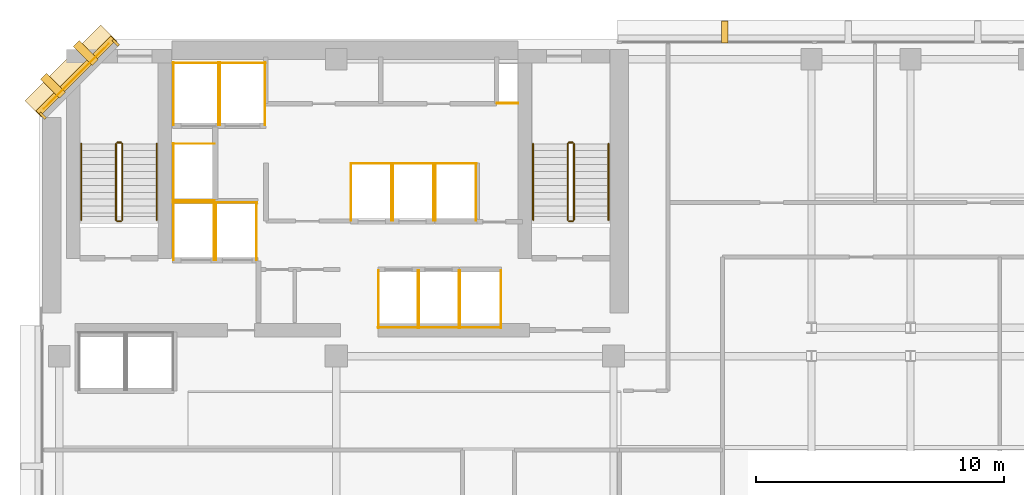
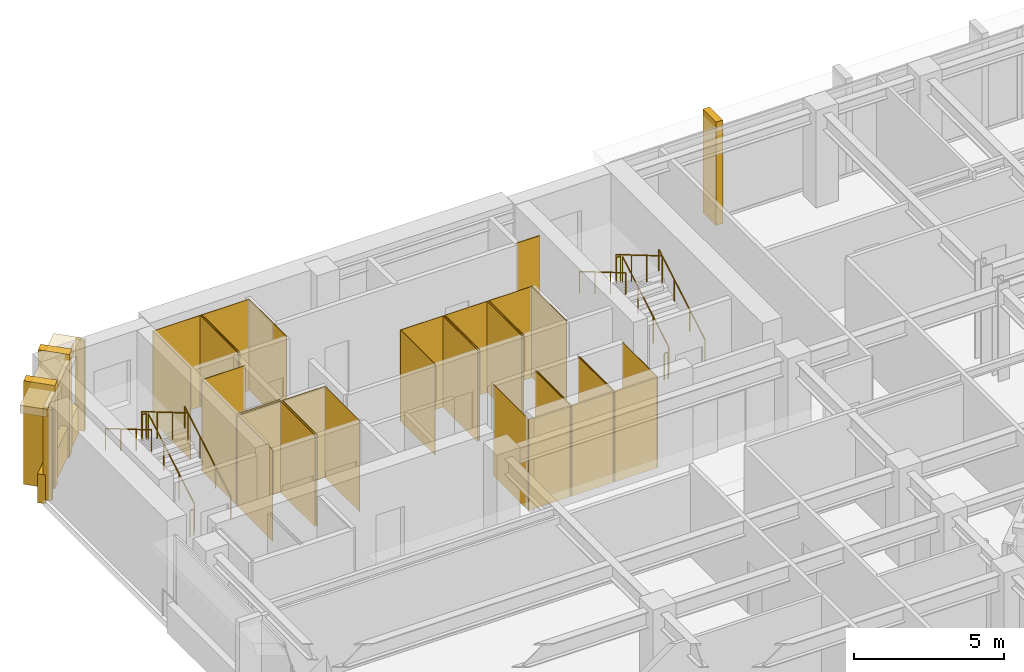
# One storey, part 10 of 11: 42 coverings, 12 railings.
"""IFC4 building model written with IfcOpenShell, lengths in metres."""

from ifc_helpers import new_model, si_unit, direction, frame, origin, origin_2d, place, context, subcontext, project, spatial, polyline, rectangle, circle, outline, extrude, material, layer, layer_set, type_object, element, save


model = new_model("IFC4")

# Units and contexts
model_context = context("Model", 3, precision=1e-05, world=origin(), true_north=direction((0.0, 1.0)))
body_context = subcontext(model_context, "Body", "Model", "MODEL_VIEW")
ifc_project = project(units=[si_unit("LENGTHUNIT", "METRE"), si_unit("AREAUNIT", "SQUARE_METRE"), si_unit("VOLUMEUNIT", "CUBIC_METRE"), si_unit("PLANEANGLEUNIT", "RADIAN"), si_unit("MASSUNIT", "GRAM", prefix="KILO")], contexts=[model_context])

# Site, building, storey
site_placement = place(None, origin())
site = spatial("IfcSite", under=ifc_project, at=site_placement, CompositionType="ELEMENT")
building_placement = place(site_placement, origin())
building = spatial("IfcBuilding", under=site, at=building_placement, Name="Kefirva Bronze Tower", CompositionType="ELEMENT")
storey_placement = place(building_placement, frame((0.0, 0.0, 183.47998046875)))
storey = spatial("IfcBuildingStorey", under=building, at=storey_placement, Name="L44", CompositionType="ELEMENT", Elevation=183.47998046875)

# Coverings
ifc_material_1 = material(Name="Bronze anodised aluminium", Category="aluminium")
ifc_layer_1 = layer(ifc_material_1, 0.02001953125, Name="Bronze anodised aluminium")
ifc_layer_set_1 = layer_set([ifc_layer_1], Name="Bronze anodised aluminium")
covering_type_1 = type_object("IfcCoveringType", Name="Anodised Bronze Spandrel Cladding 20mm", PredefinedType="CLADDING", material=ifc_layer_set_1)
covering_1_placement = place(storey_placement, frame((1.492919921875, 44.507080078125, 3.2900390625), z_axis=(0.0, 0.0, 1.0), x_axis=(-0.707106781187, -0.707106781187, 0.0)))
element("IfcCovering", 1, at=covering_1_placement, inside=storey, type_object=covering_type_1, Name="L44 Bronze Spandrel Cladding 8", PredefinedType="CLADDING", context=body_context, shape_type="SweptSolid", body=[
    extrude(rectangle(XDim=3.719482421875, YDim=0.02001953125, at=origin_2d()), origin(), (0.0, 0.0, 1.0), 0.39990234375),
])
for number, where, z_axis, x_axis, name in (
    (2, (3.08837890625, 45.862060546875, 0.0), (0.0, 0.0, 1.0), (-0.707106781187, -0.707106781187, 0.0), "L44 Facade Joint Closure Panel 8S"),
    (3, (0.137939453125, 42.91162109375, 0.0), (0.0, 0.0, 1.0), (-0.707106781187, -0.707106781187, 0.0), "L44 Facade Joint Closure Panel 8E"),
):
    element("IfcCovering", number, at=place(storey_placement, frame(where, z_axis=z_axis, x_axis=x_axis)), inside=storey, type_object=covering_type_1, Name=name, PredefinedType="CLADDING", context=body_context, shape_type="SweptSolid", body=[
        extrude(rectangle(XDim=0.10009765625, YDim=0.320068359375, at=origin_2d()), origin(), (0.0, 0.0, 1.0), 3.7099609375),
    ])
covering_2_placement = place(storey_placement, frame((1.4716796875, 44.5283203125, -0.16015625), z_axis=(0.0, 0.0, 1.0), x_axis=(-0.707106781187, -0.707106781187, 0.0)))
element("IfcCovering", 4, at=covering_2_placement, inside=storey, type_object=covering_type_1, Name="L44 Streamline Horizontal Spandrel Band 13", PredefinedType="CLADDING", context=body_context, shape_type="SweptSolid", body=[
    extrude(rectangle(XDim=4.28271484375, YDim=0.280029296875, at=origin_2d()), origin(), (0.0, 0.0, 1.0), 1.179931640625),
])
covering_3_placement = place(storey_placement, origin())
element("IfcCovering", 5, at=covering_3_placement, inside=storey, type_object=covering_type_1, Name="L44 Lift FF1 Hoistway Liner N", PredefinedType="CLADDING", context=body_context, shape_type="SweptSolid", body=[
    extrude(outline(polyline([(5.39990234375, 39.389892578125), (7.080078125, 39.389892578125), (7.080078125, 39.409912109375), (5.39990234375, 39.409912109375), (5.39990234375, 39.389892578125)])), origin(), (0.0, 0.0, 1.0), 3.7099609375),
])
covering_4_placement = place(storey_placement, origin())
element("IfcCovering", 6, at=covering_4_placement, inside=storey, type_object=covering_type_1, Name="L44 Lift FF1 Hoistway Liner W", PredefinedType="CLADDING", context=body_context, shape_type="SweptSolid", body=[
    extrude(outline(polyline([(5.409912109375, 37.080078125), (5.429931640625, 37.080078125), (5.429931640625, 39.419921875), (5.409912109375, 39.419921875), (5.409912109375, 37.080078125)])), origin(), (0.0, 0.0, 1.0), 3.7099609375),
])
covering_5_placement = place(storey_placement, origin())
element("IfcCovering", 7, at=covering_5_placement, inside=storey, type_object=covering_type_1, Name="L44 Lift FF1 Hoistway Liner E", PredefinedType="CLADDING", context=body_context, shape_type="SweptSolid", body=[
    extrude(outline(polyline([(7.050048828125, 37.080078125), (7.070068359375, 37.080078125), (7.070068359375, 39.419921875), (7.050048828125, 39.419921875), (7.050048828125, 37.080078125)])), origin(), (0.0, 0.0, 1.0), 3.7099609375),
])
covering_6_placement = place(storey_placement, origin())
element("IfcCovering", 8, at=covering_6_placement, inside=storey, type_object=covering_type_1, Name="L44 Lift FF2 Hoistway Liner N", PredefinedType="CLADDING", context=body_context, shape_type="SweptSolid", body=[
    extrude(outline(polyline([(7.1201171875, 39.389892578125), (8.800048828125, 39.389892578125), (8.800048828125, 39.409912109375), (7.1201171875, 39.409912109375), (7.1201171875, 39.389892578125)])), origin(), (0.0, 0.0, 1.0), 3.7099609375),
])
covering_7_placement = place(storey_placement, origin())
element("IfcCovering", 9, at=covering_7_placement, inside=storey, type_object=covering_type_1, Name="L44 Lift FF2 Hoistway Liner W", PredefinedType="CLADDING", context=body_context, shape_type="SweptSolid", body=[
    extrude(outline(polyline([(7.1298828125, 37.080078125), (7.14990234375, 37.080078125), (7.14990234375, 39.419921875), (7.1298828125, 39.419921875), (7.1298828125, 37.080078125)])), origin(), (0.0, 0.0, 1.0), 3.7099609375),
])
covering_8_placement = place(storey_placement, origin())
element("IfcCovering", 10, at=covering_8_placement, inside=storey, type_object=covering_type_1, Name="L44 Lift FF2 Hoistway Liner E", PredefinedType="CLADDING", context=body_context, shape_type="SweptSolid", body=[
    extrude(outline(polyline([(8.77001953125, 37.080078125), (8.7900390625, 37.080078125), (8.7900390625, 39.419921875), (8.77001953125, 39.419921875), (8.77001953125, 37.080078125)])), origin(), (0.0, 0.0, 1.0), 3.7099609375),
])
covering_9_placement = place(storey_placement, origin())
element("IfcCovering", 11, at=covering_9_placement, inside=storey, type_object=covering_type_1, Name="L44 Lift SV1 Hoistway Liner N", PredefinedType="CLADDING", context=body_context, shape_type="SweptSolid", body=[
    extrude(outline(polyline([(5.39990234375, 45.0400390625), (7.260009765625, 45.0400390625), (7.260009765625, 45.06005859375), (5.39990234375, 45.06005859375), (5.39990234375, 45.0400390625)])), origin(), (0.0, 0.0, 1.0), 3.7099609375),
])
covering_10_placement = place(storey_placement, origin())
element("IfcCovering", 12, at=covering_10_placement, inside=storey, type_object=covering_type_1, Name="L44 Lift SV1 Hoistway Liner W", PredefinedType="CLADDING", context=body_context, shape_type="SweptSolid", body=[
    extrude(outline(polyline([(5.409912109375, 42.530029296875), (5.429931640625, 42.530029296875), (5.429931640625, 45.070068359375), (5.409912109375, 45.070068359375), (5.409912109375, 42.530029296875)])), origin(), (0.0, 0.0, 1.0), 3.7099609375),
])
covering_11_placement = place(storey_placement, origin())
element("IfcCovering", 13, at=covering_11_placement, inside=storey, type_object=covering_type_1, Name="L44 Lift SV1 Hoistway Liner E", PredefinedType="CLADDING", context=body_context, shape_type="SweptSolid", body=[
    extrude(outline(polyline([(7.22998046875, 42.530029296875), (7.25, 42.530029296875), (7.25, 45.070068359375), (7.22998046875, 45.070068359375), (7.22998046875, 42.530029296875)])), origin(), (0.0, 0.0, 1.0), 3.7099609375),
])
covering_12_placement = place(storey_placement, origin())
element("IfcCovering", 14, at=covering_12_placement, inside=storey, type_object=covering_type_1, Name="L44 Lift SV2 Hoistway Liner N", PredefinedType="CLADDING", context=body_context, shape_type="SweptSolid", body=[
    extrude(outline(polyline([(7.280029296875, 45.0400390625), (9.139892578125, 45.0400390625), (9.139892578125, 45.06005859375), (7.280029296875, 45.06005859375), (7.280029296875, 45.0400390625)])), origin(), (0.0, 0.0, 1.0), 3.7099609375),
])
covering_13_placement = place(storey_placement, origin())
element("IfcCovering", 15, at=covering_13_placement, inside=storey, type_object=covering_type_1, Name="L44 Lift SV2 Hoistway Liner W", PredefinedType="CLADDING", context=body_context, shape_type="SweptSolid", body=[
    extrude(outline(polyline([(7.2900390625, 42.530029296875), (7.31005859375, 42.530029296875), (7.31005859375, 45.070068359375), (7.2900390625, 45.070068359375), (7.2900390625, 42.530029296875)])), origin(), (0.0, 0.0, 1.0), 3.7099609375),
])
covering_14_placement = place(storey_placement, origin())
element("IfcCovering", 16, at=covering_14_placement, inside=storey, type_object=covering_type_1, Name="L44 Lift SV2 Hoistway Liner E", PredefinedType="CLADDING", context=body_context, shape_type="SweptSolid", body=[
    extrude(outline(polyline([(9.110107421875, 42.530029296875), (9.1298828125, 42.530029296875), (9.1298828125, 45.070068359375), (9.110107421875, 45.070068359375), (9.110107421875, 42.530029296875)])), origin(), (0.0, 0.0, 1.0), 3.7099609375),
])
covering_15_placement = place(storey_placement, origin())
element("IfcCovering", 17, at=covering_15_placement, inside=storey, type_object=covering_type_1, Name="L44 Lift MP1 Hoistway Liner S", PredefinedType="CLADDING", context=body_context, shape_type="SweptSolid", body=[
    extrude(outline(polyline([(13.679931640625, 34.340087890625), (15.320068359375, 34.340087890625), (15.320068359375, 34.360107421875), (13.679931640625, 34.360107421875), (13.679931640625, 34.340087890625)])), origin(), (0.0, 0.0, 1.0), 3.7099609375),
])
covering_16_placement = place(storey_placement, origin())
element("IfcCovering", 18, at=covering_16_placement, inside=storey, type_object=covering_type_1, Name="L44 Lift MP1 Hoistway Liner W", PredefinedType="CLADDING", context=body_context, shape_type="SweptSolid", body=[
    extrude(outline(polyline([(13.68994140625, 34.330078125), (13.7099609375, 34.330078125), (13.7099609375, 36.669921875), (13.68994140625, 36.669921875), (13.68994140625, 34.330078125)])), origin(), (0.0, 0.0, 1.0), 3.7099609375),
])
covering_17_placement = place(storey_placement, origin())
element("IfcCovering", 19, at=covering_17_placement, inside=storey, type_object=covering_type_1, Name="L44 Lift MP1 Hoistway Liner E", PredefinedType="CLADDING", context=body_context, shape_type="SweptSolid", body=[
    extrude(outline(polyline([(15.2900390625, 34.330078125), (15.31005859375, 34.330078125), (15.31005859375, 36.669921875), (15.2900390625, 36.669921875), (15.2900390625, 34.330078125)])), origin(), (0.0, 0.0, 1.0), 3.7099609375),
])
covering_18_placement = place(storey_placement, origin())
element("IfcCovering", 20, at=covering_18_placement, inside=storey, type_object=covering_type_1, Name="L44 Lift MP2 Hoistway Liner S", PredefinedType="CLADDING", context=body_context, shape_type="SweptSolid", body=[
    extrude(outline(polyline([(15.330078125, 34.340087890625), (16.969970703125, 34.340087890625), (16.969970703125, 34.360107421875), (15.330078125, 34.360107421875), (15.330078125, 34.340087890625)])), origin(), (0.0, 0.0, 1.0), 3.7099609375),
])
covering_19_placement = place(storey_placement, origin())
element("IfcCovering", 21, at=covering_19_placement, inside=storey, type_object=covering_type_1, Name="L44 Lift MP2 Hoistway Liner W", PredefinedType="CLADDING", context=body_context, shape_type="SweptSolid", body=[
    extrude(outline(polyline([(15.340087890625, 34.330078125), (15.360107421875, 34.330078125), (15.360107421875, 36.669921875), (15.340087890625, 36.669921875), (15.340087890625, 34.330078125)])), origin(), (0.0, 0.0, 1.0), 3.7099609375),
])
covering_20_placement = place(storey_placement, origin())
element("IfcCovering", 22, at=covering_20_placement, inside=storey, type_object=covering_type_1, Name="L44 Lift MP2 Hoistway Liner E", PredefinedType="CLADDING", context=body_context, shape_type="SweptSolid", body=[
    extrude(outline(polyline([(16.93994140625, 34.330078125), (16.9599609375, 34.330078125), (16.9599609375, 36.669921875), (16.93994140625, 36.669921875), (16.93994140625, 34.330078125)])), origin(), (0.0, 0.0, 1.0), 3.7099609375),
])
covering_21_placement = place(storey_placement, origin())
element("IfcCovering", 23, at=covering_21_placement, inside=storey, type_object=covering_type_1, Name="L44 Lift MP3 Hoistway Liner N", PredefinedType="CLADDING", context=body_context, shape_type="SweptSolid", body=[
    extrude(outline(polyline([(12.580078125, 40.969970703125), (14.25, 40.969970703125), (14.25, 40.989990234375), (12.580078125, 40.989990234375), (12.580078125, 40.969970703125)])), origin(), (0.0, 0.0, 1.0), 3.7099609375),
])
covering_22_placement = place(storey_placement, origin())
element("IfcCovering", 24, at=covering_22_placement, inside=storey, type_object=covering_type_1, Name="L44 Lift MP3 Hoistway Liner W", PredefinedType="CLADDING", context=body_context, shape_type="SweptSolid", body=[
    extrude(outline(polyline([(12.590087890625, 38.659912109375), (12.610107421875, 38.659912109375), (12.610107421875, 41.0), (12.590087890625, 41.0), (12.590087890625, 38.659912109375)])), origin(), (0.0, 0.0, 1.0), 3.7099609375),
])
covering_23_placement = place(storey_placement, origin())
element("IfcCovering", 25, at=covering_23_placement, inside=storey, type_object=covering_type_1, Name="L44 Lift MP3 Hoistway Liner E", PredefinedType="CLADDING", context=body_context, shape_type="SweptSolid", body=[
    extrude(outline(polyline([(14.219970703125, 38.659912109375), (14.239990234375, 38.659912109375), (14.239990234375, 41.0), (14.219970703125, 41.0), (14.219970703125, 38.659912109375)])), origin(), (0.0, 0.0, 1.0), 3.7099609375),
])
covering_24_placement = place(storey_placement, origin())
element("IfcCovering", 26, at=covering_24_placement, inside=storey, type_object=covering_type_1, Name="L44 Lift MP4 Hoistway Liner N", PredefinedType="CLADDING", context=body_context, shape_type="SweptSolid", body=[
    extrude(outline(polyline([(14.280029296875, 40.969970703125), (15.949951171875, 40.969970703125), (15.949951171875, 40.989990234375), (14.280029296875, 40.989990234375), (14.280029296875, 40.969970703125)])), origin(), (0.0, 0.0, 1.0), 3.7099609375),
])
covering_25_placement = place(storey_placement, origin())
element("IfcCovering", 27, at=covering_25_placement, inside=storey, type_object=covering_type_1, Name="L44 Lift MP4 Hoistway Liner W", PredefinedType="CLADDING", context=body_context, shape_type="SweptSolid", body=[
    extrude(outline(polyline([(14.2900390625, 38.659912109375), (14.31005859375, 38.659912109375), (14.31005859375, 41.0), (14.2900390625, 41.0), (14.2900390625, 38.659912109375)])), origin(), (0.0, 0.0, 1.0), 3.7099609375),
])
covering_26_placement = place(storey_placement, origin())
element("IfcCovering", 28, at=covering_26_placement, inside=storey, type_object=covering_type_1, Name="L44 Lift MP4 Hoistway Liner E", PredefinedType="CLADDING", context=body_context, shape_type="SweptSolid", body=[
    extrude(outline(polyline([(15.919921875, 38.659912109375), (15.93994140625, 38.659912109375), (15.93994140625, 41.0), (15.919921875, 41.0), (15.919921875, 38.659912109375)])), origin(), (0.0, 0.0, 1.0), 3.7099609375),
])
covering_27_placement = place(storey_placement, origin())
element("IfcCovering", 29, at=covering_27_placement, inside=storey, type_object=covering_type_1, Name="L44 Lift HP1 Hoistway Liner S", PredefinedType="CLADDING", context=body_context, shape_type="SweptSolid", body=[
    extrude(outline(polyline([(16.97998046875, 34.340087890625), (18.669921875, 34.340087890625), (18.669921875, 34.360107421875), (16.97998046875, 34.360107421875), (16.97998046875, 34.340087890625)])), origin(), (0.0, 0.0, 1.0), 3.7099609375),
])
covering_28_placement = place(storey_placement, origin())
element("IfcCovering", 30, at=covering_28_placement, inside=storey, type_object=covering_type_1, Name="L44 Lift HP1 Hoistway Liner W", PredefinedType="CLADDING", context=body_context, shape_type="SweptSolid", body=[
    extrude(outline(polyline([(16.989990234375, 34.330078125), (17.010009765625, 34.330078125), (17.010009765625, 36.669921875), (16.989990234375, 36.669921875), (16.989990234375, 34.330078125)])), origin(), (0.0, 0.0, 1.0), 3.7099609375),
])
covering_29_placement = place(storey_placement, origin())
element("IfcCovering", 31, at=covering_29_placement, inside=storey, type_object=covering_type_1, Name="L44 Lift HP1 Hoistway Liner E", PredefinedType="CLADDING", context=body_context, shape_type="SweptSolid", body=[
    extrude(outline(polyline([(18.639892578125, 34.330078125), (18.659912109375, 34.330078125), (18.659912109375, 36.669921875), (18.639892578125, 36.669921875), (18.639892578125, 34.330078125)])), origin(), (0.0, 0.0, 1.0), 3.7099609375),
])
covering_30_placement = place(storey_placement, origin())
element("IfcCovering", 32, at=covering_30_placement, inside=storey, type_object=covering_type_1, Name="L44 Lift HP2 Hoistway Liner N", PredefinedType="CLADDING", context=body_context, shape_type="SweptSolid", body=[
    extrude(outline(polyline([(15.97998046875, 40.969970703125), (17.669921875, 40.969970703125), (17.669921875, 40.989990234375), (15.97998046875, 40.989990234375), (15.97998046875, 40.969970703125)])), origin(), (0.0, 0.0, 1.0), 3.7099609375),
])
covering_31_placement = place(storey_placement, origin())
element("IfcCovering", 33, at=covering_31_placement, inside=storey, type_object=covering_type_1, Name="L44 Lift HP2 Hoistway Liner W", PredefinedType="CLADDING", context=body_context, shape_type="SweptSolid", body=[
    extrude(outline(polyline([(15.989990234375, 38.659912109375), (16.010009765625, 38.659912109375), (16.010009765625, 41.0), (15.989990234375, 41.0), (15.989990234375, 38.659912109375)])), origin(), (0.0, 0.0, 1.0), 3.7099609375),
])
covering_32_placement = place(storey_placement, origin())
element("IfcCovering", 34, at=covering_32_placement, inside=storey, type_object=covering_type_1, Name="L44 Lift HP2 Hoistway Liner E", PredefinedType="CLADDING", context=body_context, shape_type="SweptSolid", body=[
    extrude(outline(polyline([(17.639892578125, 38.659912109375), (17.659912109375, 38.659912109375), (17.659912109375, 41.0), (17.639892578125, 41.0), (17.639892578125, 38.659912109375)])), origin(), (0.0, 0.0, 1.0), 3.7099609375),
])
covering_33_placement = place(storey_placement, origin())
element("IfcCovering", 35, at=covering_33_placement, inside=storey, type_object=covering_type_1, Name="L44 Lift HP3 Hoistway Liner N", PredefinedType="CLADDING", context=body_context, shape_type="SweptSolid", body=[
    extrude(outline(polyline([(5.39990234375, 41.77001953125), (7.080078125, 41.77001953125), (7.080078125, 41.7900390625), (5.39990234375, 41.7900390625), (5.39990234375, 41.77001953125)])), origin(), (0.0, 0.0, 1.0), 3.7099609375),
])
covering_34_placement = place(storey_placement, origin())
element("IfcCovering", 36, at=covering_34_placement, inside=storey, type_object=covering_type_1, Name="L44 Lift HP3 Hoistway Liner S", PredefinedType="CLADDING", context=body_context, shape_type="SweptSolid", body=[
    extrude(outline(polyline([(5.39990234375, 39.469970703125), (7.080078125, 39.469970703125), (7.080078125, 39.489990234375), (5.39990234375, 39.489990234375), (5.39990234375, 39.469970703125)])), origin(), (0.0, 0.0, 1.0), 3.7099609375),
])
covering_35_placement = place(storey_placement, origin())
element("IfcCovering", 37, at=covering_35_placement, inside=storey, type_object=covering_type_1, Name="L44 Lift HP3 Hoistway Liner W", PredefinedType="CLADDING", context=body_context, shape_type="SweptSolid", body=[
    extrude(outline(polyline([(5.409912109375, 39.4599609375), (5.429931640625, 39.4599609375), (5.429931640625, 41.800048828125), (5.409912109375, 41.800048828125), (5.409912109375, 39.4599609375)])), origin(), (0.0, 0.0, 1.0), 3.7099609375),
])
covering_36_placement = place(storey_placement, origin())
element("IfcCovering", 38, at=covering_36_placement, inside=storey, type_object=covering_type_1, Name="L44 Core MEP Riser Shaft Liner South", PredefinedType="CLADDING", context=body_context, shape_type="SweptSolid", body=[
    extrude(outline(polyline([(18.47998046875, 43.39990234375), (19.360107421875, 43.39990234375), (19.360107421875, 43.429931640625), (18.47998046875, 43.429931640625), (18.47998046875, 43.39990234375)])), origin(), (0.0, 0.0, 1.0), 3.7099609375),
])

# Railings
ifc_material_2 = material(Name="Stainless steel 316", Category="steel")
railing_type_1 = type_object("IfcRailingType", Name="Interior Stair Guardrail 1100mm", PredefinedType="GUARDRAIL", material=ifc_material_2)
railing_1_placement = place(storey_placement, frame((3.35009765625, 38.699951171875, 0.1650390625)))
element("IfcRailing", 39, at=railing_1_placement, inside=storey, type_object=railing_type_1, Name="L44 ST-1 stair guard 1", PredefinedType="GUARDRAIL", context=body_context, shape_type="SweptSolid", body=[
    extrude(circle(Radius=0.02392578125, at=origin_2d()), frame((0.0, 0.0, 1.076171875), z_axis=(0.0, 0.861551262678, 0.507670583921), x_axis=(-1.0, 0.0, 0.0)), (0.0, 0.0, 1.0), 3.574951171875),
    extrude(circle(Radius=0.02099609375, at=origin_2d()), origin(), (0.0, 0.0, 1.0), 1.052001953125),
    extrude(circle(Radius=0.02099609375, at=origin_2d()), frame((0.0, 1.026611328125, 0.60498046875)), (0.0, 0.0, 1.0), 1.052001953125),
    extrude(circle(Radius=0.02099609375, at=origin_2d()), frame((0.0, 2.053466796875, 1.2099609375)), (0.0, 0.0, 1.0), 1.052001953125),
    extrude(circle(Radius=0.02099609375, at=origin_2d()), frame((0.0, 3.080078125, 1.81494140625)), (0.0, 0.0, 1.0), 1.052001953125),
])
railing_2_placement = place(storey_placement, frame((3.300048828125, 41.830078125, 1.97998046875)))
element("IfcRailing", 40, at=railing_2_placement, inside=storey, type_object=railing_type_1, Name="L44 ST-1 stair guard 2", PredefinedType="GUARDRAIL", context=body_context, shape_type="SweptSolid", body=[
    extrude(circle(Radius=0.02392578125, at=origin_2d()), frame((0.0, 0.0, 1.076171875), z_axis=(-1.0, 0.0, 0.0), x_axis=(0.0, -1.0, 0.0)), (0.0, 0.0, 1.0), 0.150146484375),
    extrude(circle(Radius=0.02099609375, at=origin_2d()), origin(), (0.0, 0.0, 1.0), 1.052001953125),
    extrude(circle(Radius=0.02099609375, at=origin_2d()), frame((-0.150146484375, 0.0, 0.0)), (0.0, 0.0, 1.0), 1.052001953125),
])
railing_3_placement = place(storey_placement, frame((3.10009765625, 41.780029296875, 2.14501953125)))
element("IfcRailing", 41, at=railing_3_placement, inside=storey, type_object=railing_type_1, Name="L44 ST-1 stair guard 3", PredefinedType="GUARDRAIL", context=body_context, shape_type="SweptSolid", body=[
    extrude(circle(Radius=0.02392578125, at=origin_2d()), frame((0.0, 0.0, 1.076171875), z_axis=(0.0, -0.861551262678, 0.507670583921), x_axis=(1.0, 0.0, 0.0)), (0.0, 0.0, 1.0), 3.574951171875),
    extrude(circle(Radius=0.02099609375, at=origin_2d()), origin(), (0.0, 0.0, 1.0), 1.052001953125),
    extrude(circle(Radius=0.02099609375, at=origin_2d()), frame((0.0, -1.026611328125, 0.60498046875)), (0.0, 0.0, 1.0), 1.052001953125),
    extrude(circle(Radius=0.02099609375, at=origin_2d()), frame((0.0, -2.053466796875, 1.2099609375)), (0.0, 0.0, 1.0), 1.052001953125),
    extrude(circle(Radius=0.02099609375, at=origin_2d()), frame((0.0, -3.080078125, 1.81494140625)), (0.0, 0.0, 1.0), 1.052001953125),
])
railing_4_placement = place(storey_placement, frame((3.300048828125, 38.64990234375, 0.0)))
element("IfcRailing", 42, at=railing_4_placement, inside=storey, type_object=railing_type_1, Name="L44 ST-1 stair guard 4", PredefinedType="GUARDRAIL", context=body_context, shape_type="SweptSolid", body=[
    extrude(circle(Radius=0.02392578125, at=origin_2d()), frame((0.0, 0.0, 1.076171875), z_axis=(-1.0, 0.0, 0.0), x_axis=(0.0, -1.0, 0.0)), (0.0, 0.0, 1.0), 0.150146484375),
    extrude(circle(Radius=0.02099609375, at=origin_2d()), origin(), (0.0, 0.0, 1.0), 1.052001953125),
    extrude(circle(Radius=0.02099609375, at=origin_2d()), frame((-0.150146484375, 0.0, 0.0)), (0.0, 0.0, 1.0), 1.052001953125),
])
railing_5_placement = place(storey_placement, frame((21.60009765625, 38.699951171875, 0.1650390625)))
element("IfcRailing", 43, at=railing_5_placement, inside=storey, type_object=railing_type_1, Name="L44 ST-2 stair guard 1", PredefinedType="GUARDRAIL", context=body_context, shape_type="SweptSolid", body=[
    extrude(circle(Radius=0.02392578125, at=origin_2d()), frame((0.0, 0.0, 1.076171875), z_axis=(0.0, 0.861551262678, 0.507670583921), x_axis=(-1.0, 0.0, 0.0)), (0.0, 0.0, 1.0), 3.574951171875),
    extrude(circle(Radius=0.02099609375, at=origin_2d()), origin(), (0.0, 0.0, 1.0), 1.052001953125),
    extrude(circle(Radius=0.02099609375, at=origin_2d()), frame((0.0, 1.026611328125, 0.60498046875)), (0.0, 0.0, 1.0), 1.052001953125),
    extrude(circle(Radius=0.02099609375, at=origin_2d()), frame((0.0, 2.053466796875, 1.2099609375)), (0.0, 0.0, 1.0), 1.052001953125),
    extrude(circle(Radius=0.02099609375, at=origin_2d()), frame((0.0, 3.080078125, 1.81494140625)), (0.0, 0.0, 1.0), 1.052001953125),
])
railing_6_placement = place(storey_placement, frame((21.550048828125, 41.830078125, 1.97998046875)))
element("IfcRailing", 44, at=railing_6_placement, inside=storey, type_object=railing_type_1, Name="L44 ST-2 stair guard 2", PredefinedType="GUARDRAIL", context=body_context, shape_type="SweptSolid", body=[
    extrude(circle(Radius=0.02392578125, at=origin_2d()), frame((0.0, 0.0, 1.076171875), z_axis=(-1.0, 0.0, 0.0), x_axis=(0.0, -1.0, 0.0)), (0.0, 0.0, 1.0), 0.150146484375),
    extrude(circle(Radius=0.02099609375, at=origin_2d()), origin(), (0.0, 0.0, 1.0), 1.052001953125),
    extrude(circle(Radius=0.02099609375, at=origin_2d()), frame((-0.150146484375, 0.0, 0.0)), (0.0, 0.0, 1.0), 1.052001953125),
])
railing_7_placement = place(storey_placement, frame((21.35009765625, 41.780029296875, 2.14501953125)))
element("IfcRailing", 45, at=railing_7_placement, inside=storey, type_object=railing_type_1, Name="L44 ST-2 stair guard 3", PredefinedType="GUARDRAIL", context=body_context, shape_type="SweptSolid", body=[
    extrude(circle(Radius=0.02392578125, at=origin_2d()), frame((0.0, 0.0, 1.076171875), z_axis=(0.0, -0.861551262678, 0.507670583921), x_axis=(1.0, 0.0, 0.0)), (0.0, 0.0, 1.0), 3.574951171875),
    extrude(circle(Radius=0.02099609375, at=origin_2d()), origin(), (0.0, 0.0, 1.0), 1.052001953125),
    extrude(circle(Radius=0.02099609375, at=origin_2d()), frame((0.0, -1.026611328125, 0.60498046875)), (0.0, 0.0, 1.0), 1.052001953125),
    extrude(circle(Radius=0.02099609375, at=origin_2d()), frame((0.0, -2.053466796875, 1.2099609375)), (0.0, 0.0, 1.0), 1.052001953125),
    extrude(circle(Radius=0.02099609375, at=origin_2d()), frame((0.0, -3.080078125, 1.81494140625)), (0.0, 0.0, 1.0), 1.052001953125),
])
railing_8_placement = place(storey_placement, frame((21.550048828125, 38.64990234375, 0.0)))
element("IfcRailing", 46, at=railing_8_placement, inside=storey, type_object=railing_type_1, Name="L44 ST-2 stair guard 4", PredefinedType="GUARDRAIL", context=body_context, shape_type="SweptSolid", body=[
    extrude(circle(Radius=0.02392578125, at=origin_2d()), frame((0.0, 0.0, 1.076171875), z_axis=(-1.0, 0.0, 0.0), x_axis=(0.0, -1.0, 0.0)), (0.0, 0.0, 1.0), 0.150146484375),
    extrude(circle(Radius=0.02099609375, at=origin_2d()), origin(), (0.0, 0.0, 1.0), 1.052001953125),
    extrude(circle(Radius=0.02099609375, at=origin_2d()), frame((-0.150146484375, 0.0, 0.0)), (0.0, 0.0, 1.0), 1.052001953125),
])
railing_type_2 = type_object("IfcRailingType", Name="Stair Pitch Handrail 900mm", PredefinedType="HANDRAIL", material=ifc_material_2)
railing_9_placement = place(storey_placement, frame((4.75, 38.699951171875, 0.1650390625)))
element("IfcRailing", 47, at=railing_9_placement, inside=storey, type_object=railing_type_2, Name="L44 ST-1 stair handrail 1", PredefinedType="HANDRAIL", context=body_context, shape_type="SweptSolid", body=[
    extrude(circle(Radius=0.02392578125, at=origin_2d()), frame((0.0, 0.0, 0.8759765625), z_axis=(0.0, 0.861551262678, 0.507670583921), x_axis=(-1.0, 0.0, 0.0)), (0.0, 0.0, 1.0), 3.574951171875),
    extrude(circle(Radius=0.02099609375, at=origin_2d()), origin(), (0.0, 0.0, 1.0), 0.851806640625),
    extrude(circle(Radius=0.02099609375, at=origin_2d()), frame((0.0, 1.026611328125, 0.60498046875)), (0.0, 0.0, 1.0), 0.851806640625),
    extrude(circle(Radius=0.02099609375, at=origin_2d()), frame((0.0, 2.053466796875, 1.2099609375)), (0.0, 0.0, 1.0), 0.851806640625),
    extrude(circle(Radius=0.02099609375, at=origin_2d()), frame((0.0, 3.080078125, 1.81494140625)), (0.0, 0.0, 1.0), 0.851806640625),
])
railing_10_placement = place(storey_placement, frame((1.699951171875, 41.780029296875, 2.14501953125)))
element("IfcRailing", 48, at=railing_10_placement, inside=storey, type_object=railing_type_2, Name="L44 ST-1 stair handrail 2", PredefinedType="HANDRAIL", context=body_context, shape_type="SweptSolid", body=[
    extrude(circle(Radius=0.02392578125, at=origin_2d()), frame((0.0, 0.0, 0.8759765625), z_axis=(0.0, -0.861551262678, 0.507670583921), x_axis=(1.0, 0.0, 0.0)), (0.0, 0.0, 1.0), 3.574951171875),
    extrude(circle(Radius=0.02099609375, at=origin_2d()), origin(), (0.0, 0.0, 1.0), 0.851806640625),
    extrude(circle(Radius=0.02099609375, at=origin_2d()), frame((0.0, -1.026611328125, 0.60498046875)), (0.0, 0.0, 1.0), 0.851806640625),
    extrude(circle(Radius=0.02099609375, at=origin_2d()), frame((0.0, -2.053466796875, 1.2099609375)), (0.0, 0.0, 1.0), 0.851806640625),
    extrude(circle(Radius=0.02099609375, at=origin_2d()), frame((0.0, -3.080078125, 1.81494140625)), (0.0, 0.0, 1.0), 0.851806640625),
])
railing_11_placement = place(storey_placement, frame((23.0, 38.699951171875, 0.1650390625)))
element("IfcRailing", 49, at=railing_11_placement, inside=storey, type_object=railing_type_2, Name="L44 ST-2 stair handrail 1", PredefinedType="HANDRAIL", context=body_context, shape_type="SweptSolid", body=[
    extrude(circle(Radius=0.02392578125, at=origin_2d()), frame((0.0, 0.0, 0.8759765625), z_axis=(0.0, 0.861551262678, 0.507670583921), x_axis=(-1.0, 0.0, 0.0)), (0.0, 0.0, 1.0), 3.574951171875),
    extrude(circle(Radius=0.02099609375, at=origin_2d()), origin(), (0.0, 0.0, 1.0), 0.851806640625),
    extrude(circle(Radius=0.02099609375, at=origin_2d()), frame((0.0, 1.026611328125, 0.60498046875)), (0.0, 0.0, 1.0), 0.851806640625),
    extrude(circle(Radius=0.02099609375, at=origin_2d()), frame((0.0, 2.053466796875, 1.2099609375)), (0.0, 0.0, 1.0), 0.851806640625),
    extrude(circle(Radius=0.02099609375, at=origin_2d()), frame((0.0, 3.080078125, 1.81494140625)), (0.0, 0.0, 1.0), 0.851806640625),
])
railing_12_placement = place(storey_placement, frame((19.949951171875, 41.780029296875, 2.14501953125)))
element("IfcRailing", 50, at=railing_12_placement, inside=storey, type_object=railing_type_2, Name="L44 ST-2 stair handrail 2", PredefinedType="HANDRAIL", context=body_context, shape_type="SweptSolid", body=[
    extrude(circle(Radius=0.02392578125, at=origin_2d()), frame((0.0, 0.0, 0.8759765625), z_axis=(0.0, -0.861551262678, 0.507670583921), x_axis=(1.0, 0.0, 0.0)), (0.0, 0.0, 1.0), 3.574951171875),
    extrude(circle(Radius=0.02099609375, at=origin_2d()), origin(), (0.0, 0.0, 1.0), 0.851806640625),
    extrude(circle(Radius=0.02099609375, at=origin_2d()), frame((0.0, -1.026611328125, 0.60498046875)), (0.0, 0.0, 1.0), 0.851806640625),
    extrude(circle(Radius=0.02099609375, at=origin_2d()), frame((0.0, -2.053466796875, 1.2099609375)), (0.0, 0.0, 1.0), 0.851806640625),
    extrude(circle(Radius=0.02099609375, at=origin_2d()), frame((0.0, -3.080078125, 1.81494140625)), (0.0, 0.0, 1.0), 0.851806640625),
])

# Coverings
ifc_layer_2 = layer(ifc_material_1, 0.179931640625, Name="Bronze anodised aluminium")
ifc_layer_set_2 = layer_set([ifc_layer_2], Name="Bronze anodised aluminium")
covering_type_2 = type_object("IfcCoveringType", Name="Streamline Bronze Sunshade Eyebrow Cladding 180mm", PredefinedType="CLADDING", material=ifc_layer_set_2)
covering_37_placement = place(storey_placement, frame((1.28076171875, 44.71923828125, 3.39013671875), z_axis=(0.0, 0.0, 1.0), x_axis=(-0.707106781187, -0.707106781187, 0.0)))
element("IfcCovering", 51, at=covering_37_placement, inside=storey, type_object=covering_type_2, Name="L44 Streamline Bronze Sunshade Eyebrow 13", PredefinedType="CLADDING", context=body_context, shape_type="SweptSolid", body=[
    extrude(rectangle(XDim=4.322509765625, YDim=0.93994140625, at=origin_2d()), origin(), (0.0, 0.0, 1.0), 0.320068359375),
])
ifc_layer_3 = layer(ifc_material_1, 0.260009765625, Name="Bronze anodised aluminium")
ifc_layer_set_3 = layer_set([ifc_layer_3], Name="Bronze anodised aluminium")
covering_type_3 = type_object("IfcCoveringType", Name="Unbroken Bronze Buttress Fin Cladding 260mm", PredefinedType="CLADDING", material=ifc_layer_set_3)
covering_38_placement = place(storey_placement, frame((27.68798828125, 46.300048828125, -0.25), z_axis=(0.0, 0.0, 1.0), x_axis=(-1.0, 0.0, 0.0)))
element("IfcCovering", 52, at=covering_38_placement, inside=storey, type_object=covering_type_3, Name="L44 Unbroken Vertical Bronze Rib Fin 20", PredefinedType="CLADDING", context=body_context, shape_type="SweptSolid", body=[
    extrude(rectangle(XDim=0.260009765625, YDim=0.8798828125, at=origin_2d()), origin(), (0.0, 0.0, 1.0), 4.2099609375),
])
for number, where, z_axis, x_axis, name in (
    (53, (1.877197265625, 45.44287109375, -0.25), (0.0, 0.0, 1.0), (-0.707106781187, -0.707106781187, 0.0), "L44 Chamfered Corner Buttress Fin Cladding 21"),
    (54, (0.55712890625, 44.122802734375, -0.25), (0.0, 0.0, 1.0), (-0.707106781187, -0.707106781187, 0.0), "L44 Chamfered Corner Buttress Fin Cladding 22"),
):
    element("IfcCovering", number, at=place(storey_placement, frame(where, z_axis=z_axis, x_axis=x_axis)), inside=storey, type_object=covering_type_3, Name=name, PredefinedType="CLADDING", context=body_context, shape_type="SweptSolid", body=[
        extrude(rectangle(XDim=0.340087890625, YDim=1.080078125, at=origin_2d()), origin(), (0.0, 0.0, 1.0), 4.2099609375),
    ])

save(model, "model.ifc")
